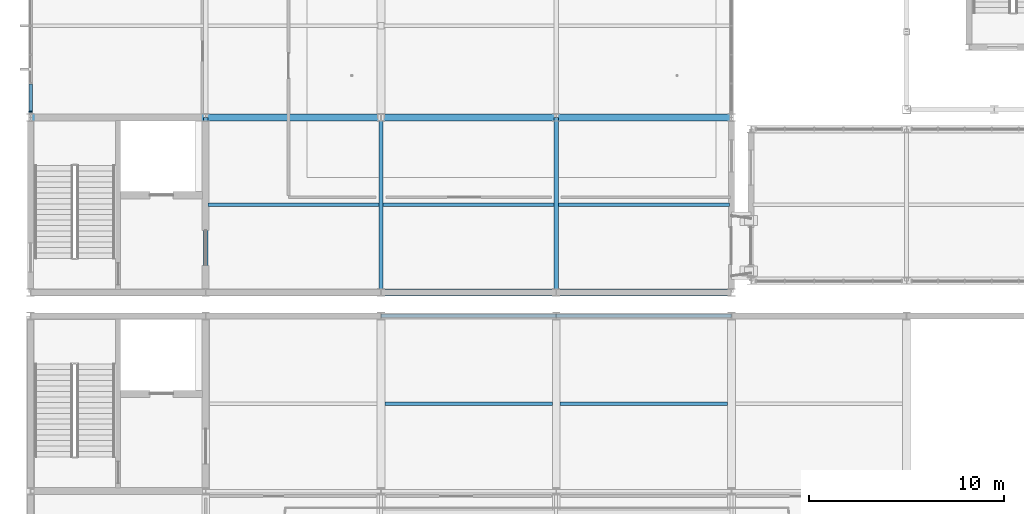
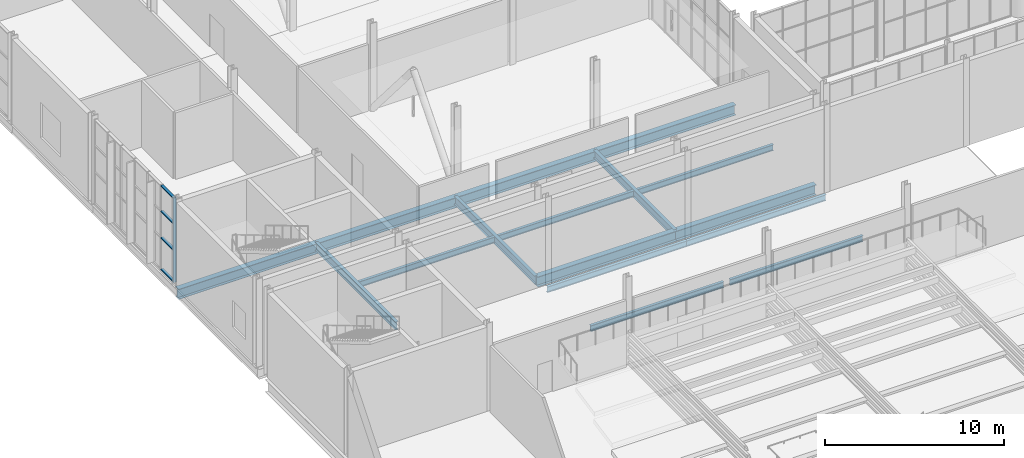
# One storey, part 31 of 159: 16 beams, 5 members, 1 element without a shape of its own.
"""IFC4 building model written with IfcOpenShell, lengths in metres."""

from ifc_helpers import new_model, si_unit, direction, frame, origin, origin_2d, place, context, subcontext, project, spatial, rectangle, i_section, extrude, material, layer, layer_set, material_profile, profile_set, type_object, element, aggregate, save


model = new_model("IFC4")

# Units and contexts
model_context = context("Model", 3, precision=1e-05, world=origin(), true_north=direction((0.0, 1.0)))
body_context = subcontext(model_context, "Body", "Model", "MODEL_VIEW")
ifc_project = project(units=[si_unit("LENGTHUNIT", "METRE"), si_unit("AREAUNIT", "SQUARE_METRE"), si_unit("VOLUMEUNIT", "CUBIC_METRE"), si_unit("PLANEANGLEUNIT", "RADIAN"), si_unit("MASSUNIT", "GRAM", prefix="KILO")], contexts=[model_context])

# Site, building, storey
site_placement = place(None, origin())
site = spatial("IfcSite", under=ifc_project, at=site_placement, CompositionType="ELEMENT")
building_placement = place(site_placement, origin())
building = spatial("IfcBuilding", under=site, at=building_placement, Name="Cazmaro Siding Exhibition Halls", CompositionType="ELEMENT")
storey_placement = place(building_placement, frame((0.0, 0.0, 6.0)))
storey = spatial("IfcBuildingStorey", under=building, at=storey_placement, Name="L01", CompositionType="ELEMENT", Elevation=6.0)

# Beams
ifc_material_1 = material(Name="Steel ASTM A992 Grade 50", Category="steel")
ifc_material_profile_1 = material_profile(ifc_material_1, i_section(OverallWidth=0.214111328125, OverallDepth=0.549072265625, WebThickness=0.014892578125, FlangeThickness=0.02392578125, at=origin_2d()), Name="W21X93")
ifc_profile_set_1 = profile_set([ifc_material_profile_1], Name="Steel ASTM A992 Grade 50")
beam_type_1 = type_object("IfcBeamType", Name="B-01", PredefinedType="BEAM", material=ifc_profile_set_1)
for number, where, z_axis, x_axis, name in (
    (1, (9.0, 54.60009765625, -0.493896484375), (0.0, 1.0, 0.0), (-1.0, 0.0, 0.0), "Beam B-01 BM-2002"),
    (2, (18.0, 54.60009765625, -0.493896484375), (0.0, 1.0, 0.0), (-1.0, 0.0, 0.0), "Beam B-01 BM-2010"),
    (3, (27.0, 54.60009765625, -0.493896484375), (0.0, 1.0, 0.0), (-1.0, 0.0, 0.0), "Beam B-01 BM-2018"),
):
    element("IfcBeam", number, at=place(storey_placement, frame(where, z_axis=z_axis, x_axis=x_axis)), inside=storey, type_object=beam_type_1, Name=name, PredefinedType="BEAM", context=body_context, shape_type="SweptSolid", body=[
        extrude(i_section(OverallWidth=0.214111328125, OverallDepth=0.549072265625, WebThickness=0.014892578125, FlangeThickness=0.02392578125, at=origin_2d()), origin(), (0.0, 0.0, 1.0), 9.0),
    ])

# Curtain wall, members
ifc_material_2 = material(Name="Anodized Bronze Aluminum and Solar-Control Low-E Glazing", Category="aluminium")
ifc_layer = layer(ifc_material_2, 0.199951171875)
ifc_layer_set = layer_set([ifc_layer], Name="Anodized Bronze Aluminum and Solar-Control Low-E Glazing")
curtain_wall_type = type_object("IfcCurtainWallType", Name="CWS-02", PredefinedType="USERDEFINED", material=ifc_layer_set)
curtain_wall_placement = place(storey_placement, origin())
curtain_wall = element("IfcCurtainWall", 4, at=curtain_wall_placement, inside=storey, type_object=curtain_wall_type, Name="Glazed Curtain Wall CWS-02 CW-230", ObjectType="GLAZED CURTAIN WALL", PredefinedType="USERDEFINED")
ifc_material_3 = material(Name="Anodized Bronze Extruded Aluminum", Category="aluminium")
ifc_material_profile_2 = material_profile(ifc_material_3, rectangle(XDim=0.199951171875, YDim=0.06494140625, at=origin_2d()), Name="CWM-02")
ifc_profile_set_2 = profile_set([ifc_material_profile_2], Name="Anodized Bronze Extruded Aluminum")
member_type_1 = type_object("IfcMemberType", Name="CWM-02", PredefinedType="MULLION", material=ifc_profile_set_2)
member_1_placement = place(storey_placement, frame((0.0, 63.885498046875, 0.0), z_axis=(0.0, 0.0, 1.0), x_axis=(1.0, 0.0, 0.0)))
member_1 = element("IfcMember", 5, at=member_1_placement, type_object=member_type_1, Name="CWS-02 mullion 7", PredefinedType="MULLION", context=body_context, shape_type="SweptSolid", body=[
    extrude(rectangle(XDim=0.199951171875, YDim=0.06494140625, at=origin_2d()), origin(), (0.0, 0.0, 1.0), 5.780029296875),
])
ifc_material_4 = material(Name="Anodized Bronze Extruded Aluminum", Category="aluminium")
ifc_material_profile_3 = material_profile(ifc_material_4, rectangle(XDim=0.179931640625, YDim=0.06494140625, at=origin_2d()), Name="CWT-02")
ifc_profile_set_3 = profile_set([ifc_material_profile_3], Name="Anodized Bronze Extruded Aluminum")
member_type_2 = type_object("IfcMemberType", Name="CWT-02", PredefinedType="MULLION", material=ifc_profile_set_3)
member_2_placement = place(storey_placement, frame((0.0, 65.302734375, 0.032470703125), z_axis=(0.0, -1.0, 0.0), x_axis=(1.0, 0.0, 0.0)))
member_2 = element("IfcMember", 6, at=member_2_placement, type_object=member_type_2, Name="CWS-02 transom 6.1", ObjectType="TRANSOM", PredefinedType="USERDEFINED", context=body_context, shape_type="SweptSolid", body=[
    extrude(rectangle(XDim=0.179931640625, YDim=0.06494140625, at=origin_2d()), origin(), (0.0, 0.0, 1.0), 1.384765625),
])
member_3_placement = place(storey_placement, frame((0.0, 65.302734375, 2.199951171875), z_axis=(0.0, -1.0, 0.0), x_axis=(1.0, 0.0, 0.0)))
member_3 = element("IfcMember", 7, at=member_3_placement, type_object=member_type_2, Name="CWS-02 transom 6.2", ObjectType="TRANSOM", PredefinedType="USERDEFINED", context=body_context, shape_type="SweptSolid", body=[
    extrude(rectangle(XDim=0.179931640625, YDim=0.06494140625, at=origin_2d()), origin(), (0.0, 0.0, 1.0), 1.384765625),
])
member_4_placement = place(storey_placement, frame((0.0, 65.302734375, 4.0), z_axis=(0.0, -1.0, 0.0), x_axis=(1.0, 0.0, 0.0)))
member_4 = element("IfcMember", 8, at=member_4_placement, type_object=member_type_2, Name="CWS-02 transom 6.3", ObjectType="TRANSOM", PredefinedType="USERDEFINED", context=body_context, shape_type="SweptSolid", body=[
    extrude(rectangle(XDim=0.179931640625, YDim=0.06494140625, at=origin_2d()), origin(), (0.0, 0.0, 1.0), 1.384765625),
])
member_5_placement = place(storey_placement, frame((0.0, 65.302734375, 5.74755859375), z_axis=(0.0, -1.0, 0.0), x_axis=(1.0, 0.0, 0.0)))
member_5 = element("IfcMember", 9, at=member_5_placement, type_object=member_type_2, Name="CWS-02 transom 6.4", ObjectType="TRANSOM", PredefinedType="USERDEFINED", context=body_context, shape_type="SweptSolid", body=[
    extrude(rectangle(XDim=0.179931640625, YDim=0.06494140625, at=origin_2d()), origin(), (0.0, 0.0, 1.0), 1.384765625),
])
aggregate(curtain_wall, [member_1, member_2, member_3, member_4, member_5])

# Beams
ifc_material_5 = material(Name="Steel ASTM A992 Grade 50", Category="steel")
ifc_material_profile_4 = material_profile(ifc_material_5, i_section(OverallWidth=0.35595703125, OverallDepth=0.696044921875, WebThickness=0.014892578125, FlangeThickness=0.02490234375, at=origin_2d()), Name="W27X146")
ifc_profile_set_4 = profile_set([ifc_material_profile_4], Name="Steel ASTM A992 Grade 50")
beam_type_2 = type_object("IfcBeamType", Name="G-05", PredefinedType="USERDEFINED", material=ifc_profile_set_4)
for number, where, z_axis, x_axis, name in (
    (10, (0.0, 63.60009765625, -0.568115234375), (1.0, 0.0, 0.0), (0.0, 1.0, 0.0), "Beam G-05 BM-1928"),
    (11, (9.0, 63.60009765625, -0.568115234375), (1.0, 0.0, 0.0), (0.0, 1.0, 0.0), "Beam G-05 BM-1943"),
    (12, (18.0, 54.60009765625, -0.568115234375), (1.0, 0.0, 0.0), (0.0, 1.0, 0.0), "Beam G-05 BM-1960"),
    (13, (18.0, 63.60009765625, -0.568115234375), (1.0, 0.0, 0.0), (0.0, 1.0, 0.0), "Beam G-05 BM-1961"),
    (14, (27.0, 54.60009765625, -0.568115234375), (1.0, 0.0, 0.0), (0.0, 1.0, 0.0), "Beam G-05 BM-1977"),
    (15, (27.0, 63.60009765625, -0.568115234375), (1.0, 0.0, 0.0), (0.0, 1.0, 0.0), "Beam G-05 BM-1978"),
):
    element("IfcBeam", number, at=place(storey_placement, frame(where, z_axis=z_axis, x_axis=x_axis)), inside=storey, type_object=beam_type_2, Name=name, ObjectType="GIRDER", PredefinedType="USERDEFINED", context=body_context, shape_type="SweptSolid", body=[
        extrude(i_section(OverallWidth=0.35595703125, OverallDepth=0.696044921875, WebThickness=0.014892578125, FlangeThickness=0.02490234375, at=origin_2d()), origin(), (0.0, 0.0, 1.0), 9.0),
    ])
ifc_material_6 = material(Name="Steel ASTM A992 Grade 50", Category="steel")
ifc_material_profile_5 = material_profile(ifc_material_6, i_section(OverallWidth=0.177978515625, OverallDepth=0.406005859375, WebThickness=0.008056640625, FlangeThickness=0.012939453125, at=origin_2d()), Name="W16X40")
ifc_profile_set_5 = profile_set([ifc_material_profile_5], Name="Steel ASTM A992 Grade 50")
beam_type_3 = type_object("IfcBeamType", Name="J-02", PredefinedType="JOIST", material=ifc_profile_set_5)
for number, where, z_axis, x_axis, name in (
    (16, (18.201904296875, 48.89990234375, -0.423095703125), (1.0, 0.0, 0.0), (0.0, 1.0, 0.0), "Beam J-02 BM-1807"),
    (17, (27.201904296875, 48.89990234375, -0.423095703125), (1.0, 0.0, 0.0), (0.0, 1.0, 0.0), "Beam J-02 BM-1808"),
):
    element("IfcBeam", number, at=place(storey_placement, frame(where, z_axis=z_axis, x_axis=x_axis)), inside=storey, type_object=beam_type_3, Name=name, PredefinedType="JOIST", context=body_context, shape_type="SweptSolid", body=[
        extrude(i_section(OverallWidth=0.177978515625, OverallDepth=0.406005859375, WebThickness=0.008056640625, FlangeThickness=0.012939453125, at=origin_2d()), origin(), (0.0, 0.0, 1.0), 8.59619140625),
    ])
for number, where, z_axis, x_axis, name in (
    (18, (18.0, 53.39990234375, -0.423095703125), (1.0, 0.0, 0.0), (0.0, 1.0, 0.0), "Beam J-02 BM-1812"),
    (19, (27.0, 53.39990234375, -0.423095703125), (1.0, 0.0, 0.0), (0.0, 1.0, 0.0), "Beam J-02 BM-1813"),
):
    element("IfcBeam", number, at=place(storey_placement, frame(where, z_axis=z_axis, x_axis=x_axis)), inside=storey, type_object=beam_type_3, Name=name, PredefinedType="JOIST", context=body_context, shape_type="SweptSolid", body=[
        extrude(i_section(OverallWidth=0.177978515625, OverallDepth=0.406005859375, WebThickness=0.008056640625, FlangeThickness=0.012939453125, at=origin_2d()), origin(), (0.0, 0.0, 1.0), 9.0),
    ])
for number, where, z_axis, x_axis, name in (
    (20, (9.10693359375, 59.10009765625, -0.423095703125), (1.0, 0.0, 0.0), (0.0, 1.0, 0.0), "Beam J-02 BM-1951"),
    (21, (18.10693359375, 59.10009765625, -0.423095703125), (1.0, 0.0, 0.0), (0.0, 1.0, 0.0), "Beam J-02 BM-1969"),
    (22, (27.10693359375, 59.10009765625, -0.423095703125), (1.0, 0.0, 0.0), (0.0, 1.0, 0.0), "Beam J-02 BM-1986"),
):
    element("IfcBeam", number, at=place(storey_placement, frame(where, z_axis=z_axis, x_axis=x_axis)), inside=storey, type_object=beam_type_3, Name=name, PredefinedType="JOIST", context=body_context, shape_type="SweptSolid", body=[
        extrude(i_section(OverallWidth=0.177978515625, OverallDepth=0.406005859375, WebThickness=0.008056640625, FlangeThickness=0.012939453125, at=origin_2d()), origin(), (0.0, 0.0, 1.0), 8.7861328125),
    ])

save(model, "model.ifc")
